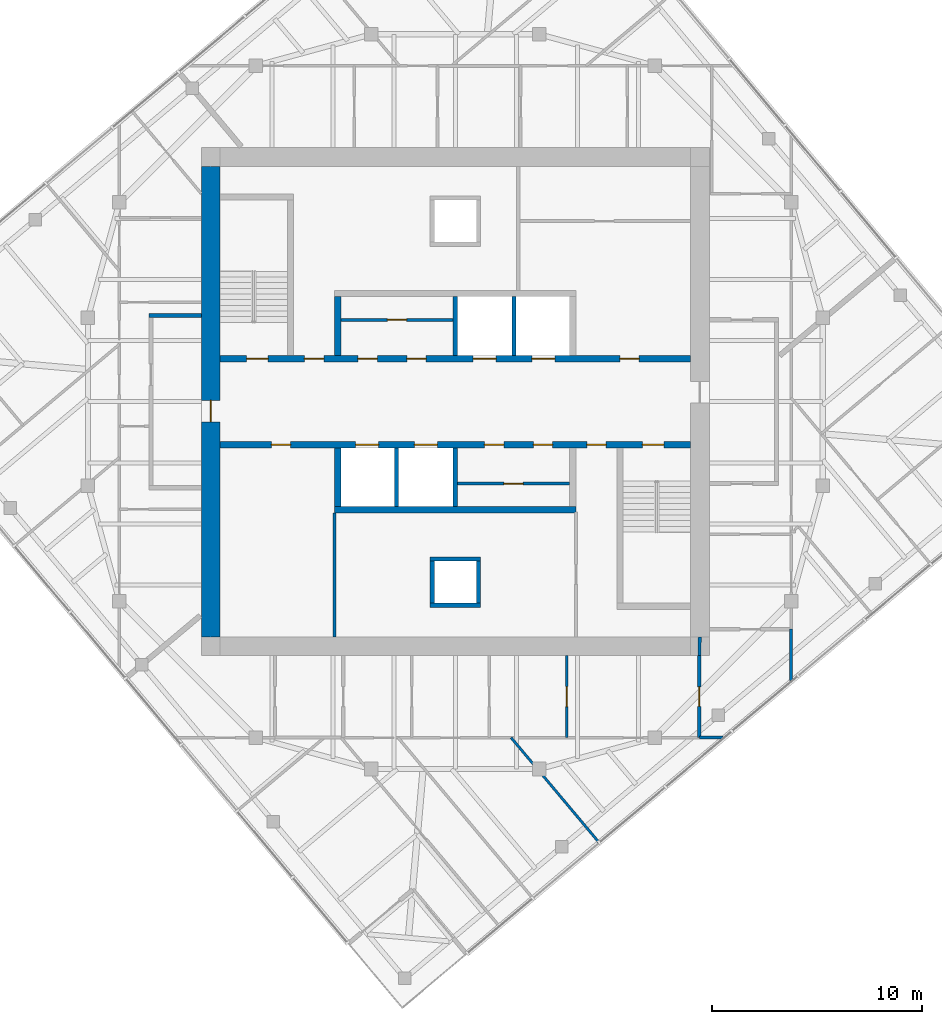
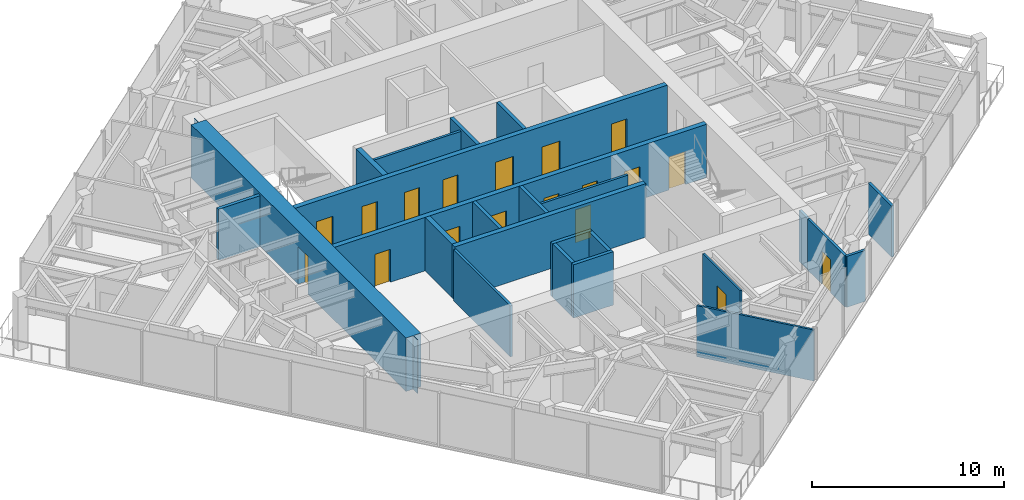
# One storey, part 8 of 12: 24 walls, 19 doors, 19 openings.
"""IFC4 building model written with IfcOpenShell, lengths in metres."""

from ifc_helpers import new_model, si_unit, direction, frame, frame_2d, origin, place, context, subcontext, project, spatial, polyline, rectangle, outline, extrude, material, layer, layer_set, type_object, element, fill, save


model = new_model("IFC4")

# Units and contexts
model_context = context("Model", 3, precision=1e-05, world=origin(), true_north=direction((0.0, 1.0)))
body_context = subcontext(model_context, "Body", "Model", "MODEL_VIEW")
ifc_project = project(units=[si_unit("LENGTHUNIT", "METRE"), si_unit("AREAUNIT", "SQUARE_METRE"), si_unit("VOLUMEUNIT", "CUBIC_METRE"), si_unit("PLANEANGLEUNIT", "RADIAN"), si_unit("MASSUNIT", "GRAM", prefix="KILO")], contexts=[model_context])

# Site, building, storey
site_placement = place(None, origin())
site = spatial("IfcSite", under=ifc_project, at=site_placement, CompositionType="ELEMENT")
building_placement = place(site_placement, origin())
building = spatial("IfcBuilding", under=site, at=building_placement, Name="Torsade Residences", CompositionType="ELEMENT")
storey_placement = place(building_placement, frame((0.0, 0.0, 282.800048828125)))
storey = spatial("IfcBuildingStorey", under=building, at=storey_placement, Name="L78", CompositionType="ELEMENT", Elevation=282.800048828125)

# Wall, openings, doors
ifc_material_1 = material(Name="Concrete 80 MPa", Category="concrete")
ifc_layer_1 = layer(ifc_material_1, 0.300048828125)
ifc_layer_set_1 = layer_set([ifc_layer_1], Name="Concrete 80 MPa")
wall_type_1 = type_object("IfcWallType", Name="CORE INTERNAL WALL 300", PredefinedType="SHEAR", material=ifc_layer_set_1)
wall_1_placement = place(storey_placement, frame((28.800048828125, 32.050048828125, 0.0), z_axis=(0.0, 0.0, 1.0), x_axis=(1.0, 0.0, 0.0)))
wall_1 = element("IfcWall", 1, at=wall_1_placement, inside=storey, type_object=wall_type_1, Name="Core wall LN L78", PredefinedType="SHEAR", context=body_context, shape_type="SweptSolid", body=[
    extrude(rectangle(XDim=22.39990234375, YDim=0.300048828125, at=frame_2d((11.199951171875, 0.0))), origin(), (0.0, 0.0, 1.0), 3.39990234375),
])
opening_1_placement = place(wall_1_placement, frame((19.0400390625, 0.0, 0.0)))
opening_1 = element("IfcOpeningElement", 2, at=opening_1_placement, cuts=wall_1, Name="Opening D06", PredefinedType="OPENING", context=body_context, shape_type="SweptSolid", body=[
    extrude(rectangle(XDim=0.919921875, YDim=2.10009765625, at=frame_2d((0.4599609375, 1.050048828125))), frame((0.0, 0.159912109375, 0.0), z_axis=(0.0, -1.0, 0.0), x_axis=(1.0, 0.0, 0.0)), (0.0, 0.0, 1.0), 0.320068359375),
])
opening_2_placement = place(wall_1_placement, frame((1.264892578125, 0.0, 0.0)))
opening_2 = element("IfcOpeningElement", 3, at=opening_2_placement, cuts=wall_1, Name="Opening D03", PredefinedType="OPENING", context=body_context, shape_type="SweptSolid", body=[
    extrude(rectangle(XDim=1.02001953125, YDim=2.10009765625, at=frame_2d((0.510009765625, 1.050048828125))), frame((0.0, 0.159912109375, 0.0), z_axis=(0.0, -1.0, 0.0), x_axis=(1.0, 0.0, 0.0)), (0.0, 0.0, 1.0), 0.320068359375),
])
opening_3_placement = place(wall_1_placement, frame((4.014892578125, 0.0, 0.0)))
opening_3 = element("IfcOpeningElement", 4, at=opening_3_placement, cuts=wall_1, Name="Opening D06", PredefinedType="OPENING", context=body_context, shape_type="SweptSolid", body=[
    extrude(rectangle(XDim=0.919921875, YDim=2.10009765625, at=frame_2d((0.4599609375, 1.050048828125))), frame((0.0, 0.159912109375, 0.0), z_axis=(0.0, -1.0, 0.0), x_axis=(1.0, 0.0, 0.0)), (0.0, 0.0, 1.0), 0.320068359375),
])
opening_4_placement = place(wall_1_placement, frame((6.56494140625, 0.0, 0.0)))
opening_4 = element("IfcOpeningElement", 5, at=opening_4_placement, cuts=wall_1, Name="Opening D06", PredefinedType="OPENING", context=body_context, shape_type="SweptSolid", body=[
    extrude(rectangle(XDim=0.919921875, YDim=2.10009765625, at=frame_2d((0.4599609375, 1.050048828125))), frame((0.0, 0.159912109375, 0.0), z_axis=(0.0, -1.0, 0.0), x_axis=(1.0, 0.0, 0.0)), (0.0, 0.0, 1.0), 0.320068359375),
])
opening_5_placement = place(wall_1_placement, frame((8.889892578125, 0.0, 0.0)))
opening_5 = element("IfcOpeningElement", 6, at=opening_5_placement, cuts=wall_1, Name="Opening D06", PredefinedType="OPENING", context=body_context, shape_type="SweptSolid", body=[
    extrude(rectangle(XDim=0.919921875, YDim=2.10009765625, at=frame_2d((0.4599609375, 1.050048828125))), frame((0.0, 0.159912109375, 0.0), z_axis=(0.0, -1.0, 0.0), x_axis=(1.0, 0.0, 0.0)), (0.0, 0.0, 1.0), 0.320068359375),
])
opening_6_placement = place(wall_1_placement, frame((12.050048828125, 0.0, 0.0)))
opening_6 = element("IfcOpeningElement", 7, at=opening_6_placement, cuts=wall_1, Name="Opening LD", PredefinedType="OPENING", context=body_context, shape_type="SweptSolid", body=[
    extrude(rectangle(XDim=1.10009765625, YDim=2.10009765625, at=frame_2d((0.550048828125, 1.050048828125))), frame((0.0, 0.159912109375, 0.0), z_axis=(0.0, -1.0, 0.0), x_axis=(1.0, 0.0, 0.0)), (0.0, 0.0, 1.0), 0.320068359375),
])
opening_7_placement = place(wall_1_placement, frame((14.85009765625, 0.0, 0.0)))
opening_7 = element("IfcOpeningElement", 8, at=opening_7_placement, cuts=wall_1, Name="Opening LD", PredefinedType="OPENING", context=body_context, shape_type="SweptSolid", body=[
    extrude(rectangle(XDim=1.10009765625, YDim=2.10009765625, at=frame_2d((0.550048828125, 1.050048828125))), frame((0.0, 0.159912109375, 0.0), z_axis=(0.0, -1.0, 0.0), x_axis=(1.0, 0.0, 0.0)), (0.0, 0.0, 1.0), 0.320068359375),
])
ifc_material_2 = material(Name="Steel-framed fire door", Category="steel")
door_type_1 = type_object("IfcDoorType", Name="FIRE DOOR 1020", OperationType="NOTDEFINED", PredefinedType="DOOR", material=ifc_material_2)
door_1_placement = place(opening_2_placement, origin())
door_1 = element("IfcDoor", 9, at=door_1_placement, inside=storey, type_object=door_type_1, Name="Exit door to fire-isolated stair ST1 L78", OperationType="SINGLE_SWING_RIGHT", OverallHeight=2.10009765625, OverallWidth=1.02001953125, PredefinedType="DOOR", context=body_context, shape_type="SweptSolid", body=[
    extrude(rectangle(XDim=1.02001953125, YDim=2.10009765625, at=frame_2d((0.510009765625, 1.050048828125))), frame((0.0, 0.02490234375, 0.0), z_axis=(0.0, -1.0, 0.0), x_axis=(1.0, 0.0, 0.0)), (0.0, 0.0, 1.0), 0.050048828125),
])
fill(opening_2, door_1)
ifc_material_3 = material(Name="Steel-framed fire door", Category="steel")
door_type_2 = type_object("IfcDoorType", Name="FIRE DOOR 920", OperationType="NOTDEFINED", PredefinedType="DOOR", material=ifc_material_3)
door_2_placement = place(opening_1_placement, origin())
door_2 = element("IfcDoor", 10, at=door_2_placement, inside=storey, type_object=door_type_2, Name="Door Lift lobby to Refuse room", OperationType="SINGLE_SWING_LEFT", OverallHeight=2.10009765625, OverallWidth=0.919921875, PredefinedType="DOOR", context=body_context, shape_type="SweptSolid", body=[
    extrude(rectangle(XDim=0.919921875, YDim=2.10009765625, at=frame_2d((0.4599609375, 1.050048828125))), frame((0.0, 0.02490234375, 0.0), z_axis=(0.0, -1.0, 0.0), x_axis=(1.0, 0.0, 0.0)), (0.0, 0.0, 1.0), 0.050048828125),
])
fill(opening_1, door_2)
door_3_placement = place(opening_3_placement, origin())
door_3 = element("IfcDoor", 11, at=door_3_placement, inside=storey, type_object=door_type_2, Name="Door Lift lobby to Electrical riser room", OperationType="SINGLE_SWING_LEFT", OverallHeight=2.10009765625, OverallWidth=0.919921875, PredefinedType="DOOR", context=body_context, shape_type="SweptSolid", body=[
    extrude(rectangle(XDim=0.919921875, YDim=2.10009765625, at=frame_2d((0.4599609375, 1.050048828125))), frame((0.0, 0.02490234375, 0.0), z_axis=(0.0, -1.0, 0.0), x_axis=(1.0, 0.0, 0.0)), (0.0, 0.0, 1.0), 0.050048828125),
])
fill(opening_3, door_3)
door_4_placement = place(opening_4_placement, origin())
door_4 = element("IfcDoor", 12, at=door_4_placement, inside=storey, type_object=door_type_2, Name="Door Lift lobby to Linen store L78A", OperationType="SINGLE_SWING_RIGHT", OverallHeight=2.10009765625, OverallWidth=0.919921875, PredefinedType="DOOR", context=body_context, shape_type="SweptSolid", body=[
    extrude(rectangle(XDim=0.919921875, YDim=2.10009765625, at=frame_2d((0.4599609375, 1.050048828125))), frame((0.0, 0.02490234375, 0.0), z_axis=(0.0, -1.0, 0.0), x_axis=(1.0, 0.0, 0.0)), (0.0, 0.0, 1.0), 0.050048828125),
])
fill(opening_4, door_4)
door_5_placement = place(opening_5_placement, origin())
door_5 = element("IfcDoor", 13, at=door_5_placement, inside=storey, type_object=door_type_2, Name="Door Lift lobby to Linen store L78A", OperationType="SINGLE_SWING_LEFT", OverallHeight=2.10009765625, OverallWidth=0.919921875, PredefinedType="DOOR", context=body_context, shape_type="SweptSolid", body=[
    extrude(rectangle(XDim=0.919921875, YDim=2.10009765625, at=frame_2d((0.4599609375, 1.050048828125))), frame((0.0, 0.02490234375, 0.0), z_axis=(0.0, -1.0, 0.0), x_axis=(1.0, 0.0, 0.0)), (0.0, 0.0, 1.0), 0.050048828125),
])
fill(opening_5, door_5)
ifc_material_4 = material(Name="Stainless steel lift landing door", Category="steel")
door_type_3 = type_object("IfcDoorType", Name="LIFT LANDING DOOR 1100", OperationType="SLIDING_TO_LEFT", PredefinedType="DOOR", material=ifc_material_4)
door_6_placement = place(opening_6_placement, origin())
door_6 = element("IfcDoor", 14, at=door_6_placement, inside=storey, type_object=door_type_3, Name="Lift LA3 landing door L78", OperationType="SLIDING_TO_LEFT", OverallHeight=2.10009765625, OverallWidth=1.10009765625, PredefinedType="DOOR", context=body_context, shape_type="SweptSolid", body=[
    extrude(rectangle(XDim=1.10009765625, YDim=2.10009765625, at=frame_2d((0.550048828125, 1.050048828125))), frame((0.0, 0.02490234375, 0.0), z_axis=(0.0, -1.0, 0.0), x_axis=(1.0, 0.0, 0.0)), (0.0, 0.0, 1.0), 0.050048828125),
])
fill(opening_6, door_6)
door_7_placement = place(opening_7_placement, origin())
door_7 = element("IfcDoor", 15, at=door_7_placement, inside=storey, type_object=door_type_3, Name="Lift FL1 landing door L78", OperationType="SLIDING_TO_LEFT", OverallHeight=2.10009765625, OverallWidth=1.10009765625, PredefinedType="DOOR", context=body_context, shape_type="SweptSolid", body=[
    extrude(rectangle(XDim=1.10009765625, YDim=2.10009765625, at=frame_2d((0.550048828125, 1.050048828125))), frame((0.0, 0.02490234375, 0.0), z_axis=(0.0, -1.0, 0.0), x_axis=(1.0, 0.0, 0.0)), (0.0, 0.0, 1.0), 0.050048828125),
])
fill(opening_7, door_7)

wall_2_placement = place(storey_placement, frame((51.199951171875, 27.949951171875, 0.0), z_axis=(0.0, 0.0, 1.0), x_axis=(-1.0, 0.0, 0.0)))
wall_2 = element("IfcWall", 16, at=wall_2_placement, inside=storey, type_object=wall_type_1, Name="Core wall LS L78", PredefinedType="SHEAR", context=body_context, shape_type="SweptSolid", body=[
    extrude(rectangle(XDim=22.39990234375, YDim=0.300048828125, at=frame_2d((11.199951171875, 0.0))), origin(), (0.0, 0.0, 1.0), 3.39990234375),
])
opening_8_placement = place(wall_2_placement, frame((19.0400390625, 0.0, 0.0)))
opening_8 = element("IfcOpeningElement", 17, at=opening_8_placement, cuts=wall_2, Name="Opening D06", PredefinedType="OPENING", context=body_context, shape_type="SweptSolid", body=[
    extrude(rectangle(XDim=0.919921875, YDim=2.10009765625, at=frame_2d((0.4599609375, 1.050048828125))), frame((0.0, 0.159912109375, 0.0), z_axis=(0.0, -1.0, 0.0), x_axis=(1.0, 0.0, 0.0)), (0.0, 0.0, 1.0), 0.320068359375),
])
opening_9_placement = place(wall_2_placement, frame((1.264892578125, 0.0, 0.0)))
opening_9 = element("IfcOpeningElement", 18, at=opening_9_placement, cuts=wall_2, Name="Opening D03", PredefinedType="OPENING", context=body_context, shape_type="SweptSolid", body=[
    extrude(rectangle(XDim=1.02001953125, YDim=2.10009765625, at=frame_2d((0.510009765625, 1.050048828125))), frame((0.0, 0.159912109375, 0.0), z_axis=(0.0, -1.0, 0.0), x_axis=(1.0, 0.0, 0.0)), (0.0, 0.0, 1.0), 0.320068359375),
])
opening_10_placement = place(wall_2_placement, frame((4.014892578125, 0.0, 0.0)))
opening_10 = element("IfcOpeningElement", 19, at=opening_10_placement, cuts=wall_2, Name="Opening D06", PredefinedType="OPENING", context=body_context, shape_type="SweptSolid", body=[
    extrude(rectangle(XDim=0.919921875, YDim=2.10009765625, at=frame_2d((0.4599609375, 1.050048828125))), frame((0.0, 0.159912109375, 0.0), z_axis=(0.0, -1.0, 0.0), x_axis=(1.0, 0.0, 0.0)), (0.0, 0.0, 1.0), 0.320068359375),
])
opening_11_placement = place(wall_2_placement, frame((8.889892578125, 0.0, 0.0)))
opening_11 = element("IfcOpeningElement", 20, at=opening_11_placement, cuts=wall_2, Name="Opening D06", PredefinedType="OPENING", context=body_context, shape_type="SweptSolid", body=[
    extrude(rectangle(XDim=0.919921875, YDim=2.10009765625, at=frame_2d((0.4599609375, 1.050048828125))), frame((0.0, 0.159912109375, 0.0), z_axis=(0.0, -1.0, 0.0), x_axis=(1.0, 0.0, 0.0)), (0.0, 0.0, 1.0), 0.320068359375),
])
opening_12_placement = place(wall_2_placement, frame((6.56494140625, 0.0, 0.0)))
opening_12 = element("IfcOpeningElement", 21, at=opening_12_placement, cuts=wall_2, Name="Opening D06", PredefinedType="OPENING", context=body_context, shape_type="SweptSolid", body=[
    extrude(rectangle(XDim=0.919921875, YDim=2.10009765625, at=frame_2d((0.4599609375, 1.050048828125))), frame((0.0, 0.159912109375, 0.0), z_axis=(0.0, -1.0, 0.0), x_axis=(1.0, 0.0, 0.0)), (0.0, 0.0, 1.0), 0.320068359375),
])
opening_13_placement = place(wall_2_placement, frame((12.050048828125, 0.0, 0.0)))
opening_13 = element("IfcOpeningElement", 22, at=opening_13_placement, cuts=wall_2, Name="Opening LD", PredefinedType="OPENING", context=body_context, shape_type="SweptSolid", body=[
    extrude(rectangle(XDim=1.10009765625, YDim=2.10009765625, at=frame_2d((0.550048828125, 1.050048828125))), frame((0.0, 0.159912109375, 0.0), z_axis=(0.0, -1.0, 0.0), x_axis=(1.0, 0.0, 0.0)), (0.0, 0.0, 1.0), 0.320068359375),
])
opening_14_placement = place(wall_2_placement, frame((14.85009765625, 0.0, 0.0)))
opening_14 = element("IfcOpeningElement", 23, at=opening_14_placement, cuts=wall_2, Name="Opening LD", PredefinedType="OPENING", context=body_context, shape_type="SweptSolid", body=[
    extrude(rectangle(XDim=1.10009765625, YDim=2.10009765625, at=frame_2d((0.550048828125, 1.050048828125))), frame((0.0, 0.159912109375, 0.0), z_axis=(0.0, -1.0, 0.0), x_axis=(1.0, 0.0, 0.0)), (0.0, 0.0, 1.0), 0.320068359375),
])
door_8_placement = place(opening_9_placement, origin())
door_8 = element("IfcDoor", 24, at=door_8_placement, inside=storey, type_object=door_type_1, Name="Exit door to fire-isolated stair ST2 L78", OperationType="SINGLE_SWING_RIGHT", OverallHeight=2.10009765625, OverallWidth=1.02001953125, PredefinedType="DOOR", context=body_context, shape_type="SweptSolid", body=[
    extrude(rectangle(XDim=1.02001953125, YDim=2.10009765625, at=frame_2d((0.510009765625, 1.050048828125))), frame((0.0, 0.02490234375, 0.0), z_axis=(0.0, -1.0, 0.0), x_axis=(1.0, 0.0, 0.0)), (0.0, 0.0, 1.0), 0.050048828125),
])
fill(opening_9, door_8)
door_9_placement = place(opening_8_placement, origin())
door_9 = element("IfcDoor", 25, at=door_9_placement, inside=storey, type_object=door_type_2, Name="Door Lift lobby to Cleaner store", OperationType="SINGLE_SWING_LEFT", OverallHeight=2.10009765625, OverallWidth=0.919921875, PredefinedType="DOOR", context=body_context, shape_type="SweptSolid", body=[
    extrude(rectangle(XDim=0.919921875, YDim=2.10009765625, at=frame_2d((0.4599609375, 1.050048828125))), frame((0.0, 0.02490234375, 0.0), z_axis=(0.0, -1.0, 0.0), x_axis=(1.0, 0.0, 0.0)), (0.0, 0.0, 1.0), 0.050048828125),
])
fill(opening_8, door_9)
door_10_placement = place(opening_10_placement, origin())
door_10 = element("IfcDoor", 26, at=door_10_placement, inside=storey, type_object=door_type_2, Name="Door Lift lobby to Security and data store", OperationType="SINGLE_SWING_RIGHT", OverallHeight=2.10009765625, OverallWidth=0.919921875, PredefinedType="DOOR", context=body_context, shape_type="SweptSolid", body=[
    extrude(rectangle(XDim=0.919921875, YDim=2.10009765625, at=frame_2d((0.4599609375, 1.050048828125))), frame((0.0, 0.02490234375, 0.0), z_axis=(0.0, -1.0, 0.0), x_axis=(1.0, 0.0, 0.0)), (0.0, 0.0, 1.0), 0.050048828125),
])
fill(opening_10, door_10)
door_11_placement = place(opening_11_placement, origin())
door_11 = element("IfcDoor", 27, at=door_11_placement, inside=storey, type_object=door_type_2, Name="Door Lift lobby to Cleaners store L78C", OperationType="SINGLE_SWING_LEFT", OverallHeight=2.10009765625, OverallWidth=0.919921875, PredefinedType="DOOR", context=body_context, shape_type="SweptSolid", body=[
    extrude(rectangle(XDim=0.919921875, YDim=2.10009765625, at=frame_2d((0.4599609375, 1.050048828125))), frame((0.0, 0.02490234375, 0.0), z_axis=(0.0, -1.0, 0.0), x_axis=(1.0, 0.0, 0.0)), (0.0, 0.0, 1.0), 0.050048828125),
])
fill(opening_11, door_11)
door_12_placement = place(opening_12_placement, origin())
door_12 = element("IfcDoor", 28, at=door_12_placement, inside=storey, type_object=door_type_2, Name="Door Lift lobby to Cleaners store L78C", OperationType="SINGLE_SWING_RIGHT", OverallHeight=2.10009765625, OverallWidth=0.919921875, PredefinedType="DOOR", context=body_context, shape_type="SweptSolid", body=[
    extrude(rectangle(XDim=0.919921875, YDim=2.10009765625, at=frame_2d((0.4599609375, 1.050048828125))), frame((0.0, 0.02490234375, 0.0), z_axis=(0.0, -1.0, 0.0), x_axis=(1.0, 0.0, 0.0)), (0.0, 0.0, 1.0), 0.050048828125),
])
fill(opening_12, door_12)
door_13_placement = place(opening_13_placement, origin())
door_13 = element("IfcDoor", 29, at=door_13_placement, inside=storey, type_object=door_type_3, Name="Lift LB3 landing door L78", OperationType="SLIDING_TO_LEFT", OverallHeight=2.10009765625, OverallWidth=1.10009765625, PredefinedType="DOOR", context=body_context, shape_type="SweptSolid", body=[
    extrude(rectangle(XDim=1.10009765625, YDim=2.10009765625, at=frame_2d((0.550048828125, 1.050048828125))), frame((0.0, 0.02490234375, 0.0), z_axis=(0.0, -1.0, 0.0), x_axis=(1.0, 0.0, 0.0)), (0.0, 0.0, 1.0), 0.050048828125),
])
fill(opening_13, door_13)
door_14_placement = place(opening_14_placement, origin())
door_14 = element("IfcDoor", 30, at=door_14_placement, inside=storey, type_object=door_type_3, Name="Lift FL2 landing door L78", OperationType="SLIDING_TO_LEFT", OverallHeight=2.10009765625, OverallWidth=1.10009765625, PredefinedType="DOOR", context=body_context, shape_type="SweptSolid", body=[
    extrude(rectangle(XDim=1.10009765625, YDim=2.10009765625, at=frame_2d((0.550048828125, 1.050048828125))), frame((0.0, 0.02490234375, 0.0), z_axis=(0.0, -1.0, 0.0), x_axis=(1.0, 0.0, 0.0)), (0.0, 0.0, 1.0), 0.050048828125),
])
fill(opening_14, door_14)

# Walls
wall_3_placement = place(storey_placement, frame((45.75, 24.85009765625, 0.0), z_axis=(0.0, 0.0, 1.0), x_axis=(-1.0, 0.0, 0.0)))
element("IfcWall", 31, at=wall_3_placement, inside=storey, type_object=wall_type_1, Name="Core wall BS L78", PredefinedType="SHEAR", context=body_context, shape_type="SweptSolid", body=[
    extrude(rectangle(XDim=11.5, YDim=0.300048828125, at=frame_2d((5.75, 0.0))), origin(), (0.0, 0.0, 1.0), 3.39990234375),
])
for number, where, z_axis, x_axis, name in (
    (32, (34.39990234375, 32.199951171875, 0.0), (0.0, 0.0, 1.0), (0.0, 1.0, 0.0), "Core wall DN0 L78"),
    (33, (34.39990234375, 27.800048828125, 0.0), (0.0, 0.0, 1.0), (0.0, -1.0, 0.0), "Core wall DS4 L78"),
):
    element("IfcWall", number, at=place(storey_placement, frame(where, z_axis=z_axis, x_axis=x_axis)), inside=storey, type_object=wall_type_1, Name=name, PredefinedType="SHEAR", context=body_context, shape_type="SweptSolid", body=[
        extrude(rectangle(XDim=2.800048828125, YDim=0.300048828125, at=frame_2d((1.39990234375, 0.0))), origin(), (0.0, 0.0, 1.0), 3.39990234375),
    ])

# Wall, opening, door
ifc_material_5 = material(Name="Concrete 80 MPa", Category="concrete")
ifc_layer_2 = layer(ifc_material_5, 0.89990234375)
ifc_layer_set_2 = layer_set([ifc_layer_2], Name="Concrete 80 MPa")
wall_type_2 = type_object("IfcWallType", Name="CORE WALL 900", PredefinedType="SHEAR", material=ifc_layer_set_2)
wall_4_placement = place(storey_placement, frame((28.35009765625, 41.199951171875, 0.0), z_axis=(0.0, 0.0, 1.0), x_axis=(0.0, -1.0, 0.0)))
wall_4 = element("IfcWall", 34, at=wall_4_placement, inside=storey, type_object=wall_type_2, Name="Core wall W L78", PredefinedType="SHEAR", context=body_context, shape_type="SweptSolid", body=[
    extrude(outline(polyline([(0.0, -0.449951171875), (22.39990234375, -0.449951171875), (22.39990234375, -0.02490234375), (22.849853515625, -0.02490234375), (22.849853515625, 0.02490234375), (22.39990234375, 0.02490234375), (22.39990234375, 0.449951171875), (0.0, 0.449951171875), (0.0, 0.02490234375), (-0.449951171875, 0.02490234375), (-0.449951171875, -0.02490234375), (0.0, -0.02490234375), (0.0, -0.449951171875)])), origin(), (0.0, 0.0, 1.0), 3.39990234375),
])
opening_15_placement = place(wall_4_placement, frame((11.139892578125, 0.0, 0.0)))
opening_15 = element("IfcOpeningElement", 35, at=opening_15_placement, cuts=wall_4, Name="Opening D04", PredefinedType="OPENING", context=body_context, shape_type="SweptSolid", body=[
    extrude(rectangle(XDim=1.02001953125, YDim=2.39990234375, at=frame_2d((0.510009765625, 1.199951171875))), frame((0.0, 0.4599609375, 0.0), z_axis=(0.0, -1.0, 0.0), x_axis=(1.0, 0.0, 0.0)), (0.0, 0.0, 1.0), 0.919921875),
])
ifc_material_6 = material(Name="Steel-framed fire door", Category="steel")
door_type_4 = type_object("IfcDoorType", Name="LOBBY SMOKE DOOR 1020x2400", OperationType="NOTDEFINED", PredefinedType="DOOR", material=ifc_material_6)
door_15_placement = place(opening_15_placement, origin())
door_15 = element("IfcDoor", 36, at=door_15_placement, inside=storey, type_object=door_type_4, Name="Lift lobby door W L78", OperationType="SINGLE_SWING_RIGHT", OverallHeight=2.39990234375, OverallWidth=1.02001953125, PredefinedType="DOOR", context=body_context, shape_type="SweptSolid", body=[
    extrude(rectangle(XDim=1.02001953125, YDim=2.39990234375, at=frame_2d((0.510009765625, 1.199951171875))), frame((0.0, 0.02490234375, 0.0), z_axis=(0.0, -1.0, 0.0), x_axis=(1.0, 0.0, 0.0)), (0.0, 0.0, 1.0), 0.050048828125),
])
fill(opening_15, door_15)

# Walls
ifc_material_7 = material(Name="Plasterboard on steel stud", Category="steel")
ifc_layer_3 = layer(ifc_material_7, 0.199951171875)
ifc_layer_set_3 = layer_set([ifc_layer_3], Name="Plasterboard on steel stud")
wall_type_3 = type_object("IfcWallType", Name="CORRIDOR WALL 200", PredefinedType="PARTITIONING", material=ifc_layer_set_3)
wall_5_placement = place(storey_placement, frame((27.89990234375, 34.10009765625, 0.0), z_axis=(0.0, 0.0, 1.0), x_axis=(-1.0, 0.0, 0.0)))
element("IfcWall", 37, at=wall_5_placement, inside=storey, type_object=wall_type_3, Name="Corridor wall L78", PredefinedType="PARTITIONING", context=body_context, shape_type="SweptSolid", body=[
    extrude(rectangle(XDim=2.5, YDim=0.199951171875, at=frame_2d((1.25, 0.0))), origin(), (0.0, 0.0, 1.0), 3.25),
])
ifc_material_8 = material(Name="Reinforced blockwork", Category="masonry")
ifc_layer_4 = layer(ifc_material_8, 0.199951171875)
ifc_layer_set_4 = layer_set([ifc_layer_4], Name="Reinforced blockwork")
wall_type_4 = type_object("IfcWallType", Name="LIFT SHAFT DIVIDING WALL 200", PredefinedType="SOLIDWALL", material=ifc_layer_set_4)
for number, where, z_axis, x_axis, name in (
    (38, (40.0, 32.199951171875, 0.0), (0.0, 0.0, 1.0), (0.0, 1.0, 0.0), "Core wall DN2 L78"),
    (39, (40.0, 27.800048828125, 0.0), (0.0, 0.0, 1.0), (0.0, -1.0, 0.0), "Core wall DS2 L78"),
    (40, (42.800048828125, 32.199951171875, 0.0), (0.0, 0.0, 1.0), (0.0, 1.0, 0.0), "Core wall DN3 L78"),
    (41, (37.199951171875, 27.800048828125, 0.0), (0.0, 0.0, 1.0), (0.0, -1.0, 0.0), "Core wall DS3 L78"),
):
    element("IfcWall", number, at=place(storey_placement, frame(where, z_axis=z_axis, x_axis=x_axis)), inside=storey, type_object=wall_type_4, Name=name, PredefinedType="SOLIDWALL", context=body_context, shape_type="SweptSolid", body=[
        extrude(rectangle(XDim=2.800048828125, YDim=0.199951171875, at=frame_2d((1.39990234375, 0.0))), origin(), (0.0, 0.0, 1.0), 3.39990234375),
    ])

# Wall, opening, door
ifc_material_9 = material(Name="Plasterboard on steel stud", Category="steel")
ifc_layer_5 = layer(ifc_material_9, 0.1201171875)
ifc_layer_set_5 = layer_set([ifc_layer_5], Name="Plasterboard on steel stud")
wall_type_5 = type_object("IfcWallType", Name="PARTITION 120", PredefinedType="PARTITIONING", material=ifc_layer_set_5)
wall_6_placement = place(storey_placement, frame((45.30126953125, 17.89990234375, 0.0), z_axis=(0.0, 0.0, 1.0), x_axis=(0.0, -1.0, 0.0)))
wall_6 = element("IfcWall", 42, at=wall_6_placement, inside=storey, type_object=wall_type_5, Name="Partition L78", PredefinedType="PARTITIONING", context=body_context, shape_type="SweptSolid", body=[
    extrude(rectangle(XDim=3.89990234375, YDim=0.1201171875, at=frame_2d((1.949951171875, 0.0))), origin(), (0.0, 0.0, 1.0), 3.25),
])
opening_16_placement = place(wall_6_placement, frame((1.469970703125, 0.0, 0.0)))
opening_16 = element("IfcOpeningElement", 43, at=opening_16_placement, cuts=wall_6, Name="Opening D05", PredefinedType="OPENING", context=body_context, shape_type="SweptSolid", body=[
    extrude(rectangle(XDim=0.9599609375, YDim=2.10009765625, at=frame_2d((0.47998046875, 1.050048828125))), frame((0.0, 0.070068359375, 0.0), z_axis=(0.0, -1.0, 0.0), x_axis=(1.0, 0.0, 0.0)), (0.0, 0.0, 1.0), 0.14013671875),
])
ifc_material_10 = material(Name="Hollow-core timber door in a steel cavity frame", Category="steel")
door_type_5 = type_object("IfcDoorType", Name="BATHROOM CAVITY SLIDING DOOR 960", OperationType="SLIDING_TO_LEFT", PredefinedType="DOOR", material=ifc_material_10)
door_16_placement = place(opening_16_placement, origin())
door_16 = element("IfcDoor", 44, at=door_16_placement, inside=storey, type_object=door_type_5, Name="Door Walk-in robe to Ensuite", OperationType="SLIDING_TO_LEFT", OverallHeight=2.10009765625, OverallWidth=0.9599609375, PredefinedType="DOOR", context=body_context, shape_type="SweptSolid", body=[
    extrude(rectangle(XDim=0.9599609375, YDim=2.10009765625, at=frame_2d((0.47998046875, 1.050048828125))), frame((0.0, 0.02490234375, 0.0), z_axis=(0.0, -1.0, 0.0), x_axis=(1.0, 0.0, 0.0)), (0.0, 0.0, 1.0), 0.050048828125),
])
fill(opening_16, door_16)

# Walls
wall_7_placement = place(storey_placement, frame((42.656005859375, 14.0, 0.0), z_axis=(0.0, 0.0, 1.0), x_axis=(0.642779498388, -0.766051249233, 0.0)))
element("IfcWall", 45, at=wall_7_placement, inside=storey, type_object=wall_type_5, Name="Partition L78", PredefinedType="PARTITIONING", context=body_context, shape_type="SweptSolid", body=[
    extrude(rectangle(XDim=6.49609375, YDim=0.1201171875, at=frame_2d((3.248046875, 0.0))), origin(), (0.0, 0.0, 1.0), 3.25),
])
ifc_material_11 = material(Name="Reinforced blockwork", Category="masonry")
ifc_layer_6 = layer(ifc_material_11, 0.199951171875)
ifc_layer_set_6 = layer_set([ifc_layer_6], Name="Reinforced blockwork")
wall_type_6 = type_object("IfcWallType", Name="RISER SHAFT WALL 200", PredefinedType="SOLIDWALL", material=ifc_layer_set_6)
for number, where, z_axis, x_axis, name in (
    (46, (38.89990234375, 22.39990234375, 0.0), (0.0, 0.0, 1.0), (0.0, -1.0, 0.0), "Core wall RS2a L78"),
    (47, (41.10009765625, 22.39990234375, 0.0), (0.0, 0.0, 1.0), (0.0, -1.0, 0.0), "Core wall RS2b L78"),
):
    element("IfcWall", number, at=place(storey_placement, frame(where, z_axis=z_axis, x_axis=x_axis)), inside=storey, type_object=wall_type_6, Name=name, PredefinedType="SOLIDWALL", context=body_context, shape_type="SweptSolid", body=[
        extrude(rectangle(XDim=2.0, YDim=0.199951171875, at=frame_2d((1.0, 0.0))), origin(), (0.0, 0.0, 1.0), 3.39990234375),
    ])
for number, where, z_axis, x_axis, name in (
    (48, (38.800048828125, 22.5, 0.0), (0.0, 0.0, 1.0), (1.0, 0.0, 0.0), "Core wall RS2c L78"),
    (49, (38.800048828125, 20.300048828125, 0.0), (0.0, 0.0, 1.0), (1.0, 0.0, 0.0), "Core wall RS2d L78"),
):
    element("IfcWall", number, at=place(storey_placement, frame(where, z_axis=z_axis, x_axis=x_axis)), inside=storey, type_object=wall_type_6, Name=name, PredefinedType="SOLIDWALL", context=body_context, shape_type="SweptSolid", body=[
        extrude(rectangle(XDim=2.39990234375, YDim=0.199951171875, at=frame_2d((1.199951171875, 0.0))), origin(), (0.0, 0.0, 1.0), 3.39990234375),
    ])
ifc_material_12 = material(Name="Reinforced blockwork", Category="masonry")
ifc_layer_7 = layer(ifc_material_12, 0.14990234375)
ifc_layer_set_7 = layer_set([ifc_layer_7], Name="Reinforced blockwork")
wall_type_7 = type_object("IfcWallType", Name="SERVICE ROOM WALL 150", PredefinedType="SOLIDWALL", material=ifc_layer_set_7)
wall_8_placement = place(storey_placement, frame((34.25, 18.800048828125, 0.0), z_axis=(0.0, 0.0, 1.0), x_axis=(0.0, 1.0, 0.0)))
element("IfcWall", 50, at=wall_8_placement, inside=storey, type_object=wall_type_7, Name="Service room wall L78", PredefinedType="SOLIDWALL", context=body_context, shape_type="SweptSolid", body=[
    extrude(rectangle(XDim=5.89990234375, YDim=0.14990234375, at=frame_2d((2.949951171875, 0.0))), origin(), (0.0, 0.0, 1.0), 3.25),
])

# Wall, opening, door
wall_9_placement = place(storey_placement, frame((51.624755859375, 14.0, 0.0), z_axis=(0.0, 0.0, 1.0), x_axis=(0.0, 1.0, 0.0)))
wall_9 = element("IfcWall", 51, at=wall_9_placement, inside=storey, type_object=wall_type_7, Name="Service room wall L78", PredefinedType="SOLIDWALL", context=body_context, shape_type="SweptSolid", body=[
    extrude(rectangle(XDim=3.89990234375, YDim=0.14990234375, at=frame_2d((1.949951171875, 0.0))), origin(), (0.0, 0.0, 1.0), 3.25),
])
opening_17_placement = place(wall_9_placement, frame((1.489990234375, 0.0, 0.0)))
opening_17 = element("IfcOpeningElement", 52, at=opening_17_placement, cuts=wall_9, Name="Opening D02L", PredefinedType="OPENING", context=body_context, shape_type="SweptSolid", body=[
    extrude(rectangle(XDim=0.919921875, YDim=2.10009765625, at=frame_2d((0.4599609375, 1.050048828125))), frame((0.0, 0.0849609375, 0.0), z_axis=(0.0, -1.0, 0.0), x_axis=(1.0, 0.0, 0.0)), (0.0, 0.0, 1.0), 0.169921875),
])
ifc_material_13 = material(Name="Hollow-core timber door", Category="wood")
door_type_6 = type_object("IfcDoorType", Name="INTERNAL DOOR 920x2100", OperationType="NOTDEFINED", PredefinedType="DOOR", material=ifc_material_13)
door_17_placement = place(opening_17_placement, origin())
door_17 = element("IfcDoor", 53, at=door_17_placement, inside=storey, type_object=door_type_6, Name="Door Linen store 2 to Walk-in robe", OperationType="SINGLE_SWING_RIGHT", OverallHeight=2.10009765625, OverallWidth=0.919921875, PredefinedType="DOOR", context=body_context, shape_type="SweptSolid", body=[
    extrude(rectangle(XDim=0.919921875, YDim=2.10009765625, at=frame_2d((0.4599609375, 1.050048828125))), frame((0.0, 0.02490234375, 0.0), z_axis=(0.0, -1.0, 0.0), x_axis=(1.0, 0.0, 0.0)), (0.0, 0.0, 1.0), 0.050048828125),
])
fill(opening_17, door_17)

# Walls
wall_10_placement = place(storey_placement, frame((52.761962890625, 14.0, 0.0), z_axis=(0.0, 0.0, 1.0), x_axis=(-1.0, 0.0, 0.0)))
element("IfcWall", 54, at=wall_10_placement, inside=storey, type_object=wall_type_7, Name="Service room wall L78", PredefinedType="SOLIDWALL", context=body_context, shape_type="SweptSolid", body=[
    extrude(rectangle(XDim=1.13720703125, YDim=0.14990234375, at=frame_2d((0.568603515625, 0.0))), origin(), (0.0, 0.0, 1.0), 3.25),
])
wall_11_placement = place(storey_placement, frame((56.0, 19.161865234375, 0.0), z_axis=(0.0, 0.0, 1.0), x_axis=(0.0, -1.0, 0.0)))
element("IfcWall", 55, at=wall_11_placement, inside=storey, type_object=wall_type_7, Name="Service room wall L78", PredefinedType="SOLIDWALL", context=body_context, shape_type="SweptSolid", body=[
    extrude(rectangle(XDim=2.44482421875, YDim=0.14990234375, at=frame_2d((1.222412109375, 0.0))), origin(), (0.0, 0.0, 1.0), 3.25),
])
wall_12_placement = place(storey_placement, frame((51.624755859375, 17.89990234375, 0.0), z_axis=(0.0, 0.0, 1.0), x_axis=(0.027925096799, 0.999610018442, 0.0)))
element("IfcWall", 56, at=wall_12_placement, inside=storey, type_object=wall_type_7, Name="Service room wall L78", PredefinedType="SOLIDWALL", context=body_context, shape_type="SweptSolid", body=[
    extrude(rectangle(XDim=0.900390625, YDim=0.14990234375, at=frame_2d((0.4501953125, 0.0))), origin(), (0.0, 0.0, 1.0), 3.25),
])

# Wall, opening, door
wall_13_placement = place(storey_placement, frame((34.550048828125, 33.89990234375, 0.0), z_axis=(0.0, 0.0, 1.0), x_axis=(1.0, 0.0, 0.0)))
wall_13 = element("IfcWall", 57, at=wall_13_placement, inside=storey, type_object=wall_type_7, Name="Service room wall L78", PredefinedType="SOLIDWALL", context=body_context, shape_type="SweptSolid", body=[
    extrude(rectangle(XDim=5.349853515625, YDim=0.14990234375, at=frame_2d((2.6748046875, 0.0))), origin(), (0.0, 0.0, 1.0), 3.25),
])
opening_18_placement = place(wall_13_placement, frame((2.215087890625, 0.0, 0.0)))
opening_18 = element("IfcOpeningElement", 58, at=opening_18_placement, cuts=wall_13, Name="Opening D06", PredefinedType="OPENING", context=body_context, shape_type="SweptSolid", body=[
    extrude(rectangle(XDim=0.919921875, YDim=2.10009765625, at=frame_2d((0.4599609375, 1.050048828125))), frame((0.0, 0.0849609375, 0.0), z_axis=(0.0, -1.0, 0.0), x_axis=(1.0, 0.0, 0.0)), (0.0, 0.0, 1.0), 0.169921875),
])
door_18_placement = place(opening_18_placement, origin())
door_18 = element("IfcDoor", 59, at=door_18_placement, inside=storey, type_object=door_type_2, Name="Door Linen store L78A to Equipment store L78B", OperationType="SINGLE_SWING_RIGHT", OverallHeight=2.10009765625, OverallWidth=0.919921875, PredefinedType="DOOR", context=body_context, shape_type="SweptSolid", body=[
    extrude(rectangle(XDim=0.919921875, YDim=2.10009765625, at=frame_2d((0.4599609375, 1.050048828125))), frame((0.0, 0.02490234375, 0.0), z_axis=(0.0, -1.0, 0.0), x_axis=(1.0, 0.0, 0.0)), (0.0, 0.0, 1.0), 0.050048828125),
])
fill(opening_18, door_18)

wall_14_placement = place(storey_placement, frame((40.10009765625, 26.10009765625, 0.0), z_axis=(0.0, 0.0, 1.0), x_axis=(1.0, 0.0, 0.0)))
wall_14 = element("IfcWall", 60, at=wall_14_placement, inside=storey, type_object=wall_type_7, Name="Service room wall L78", PredefinedType="SOLIDWALL", context=body_context, shape_type="SweptSolid", body=[
    extrude(rectangle(XDim=5.349853515625, YDim=0.14990234375, at=frame_2d((2.6748046875, 0.0))), origin(), (0.0, 0.0, 1.0), 3.25),
])
opening_19_placement = place(wall_14_placement, frame((2.215087890625, 0.0, 0.0)))
opening_19 = element("IfcOpeningElement", 61, at=opening_19_placement, cuts=wall_14, Name="Opening D06", PredefinedType="OPENING", context=body_context, shape_type="SweptSolid", body=[
    extrude(rectangle(XDim=0.919921875, YDim=2.10009765625, at=frame_2d((0.4599609375, 1.050048828125))), frame((0.0, 0.0849609375, 0.0), z_axis=(0.0, -1.0, 0.0), x_axis=(1.0, 0.0, 0.0)), (0.0, 0.0, 1.0), 0.169921875),
])
door_19_placement = place(opening_19_placement, origin())
door_19 = element("IfcDoor", 62, at=door_19_placement, inside=storey, type_object=door_type_2, Name="Door Cleaners store L78C to Equipment store L78D", OperationType="SINGLE_SWING_LEFT", OverallHeight=2.10009765625, OverallWidth=0.919921875, PredefinedType="DOOR", context=body_context, shape_type="SweptSolid", body=[
    extrude(rectangle(XDim=0.919921875, YDim=2.10009765625, at=frame_2d((0.4599609375, 1.050048828125))), frame((0.0, 0.02490234375, 0.0), z_axis=(0.0, -1.0, 0.0), x_axis=(1.0, 0.0, 0.0)), (0.0, 0.0, 1.0), 0.050048828125),
])
fill(opening_19, door_19)

save(model, "model.ifc")
